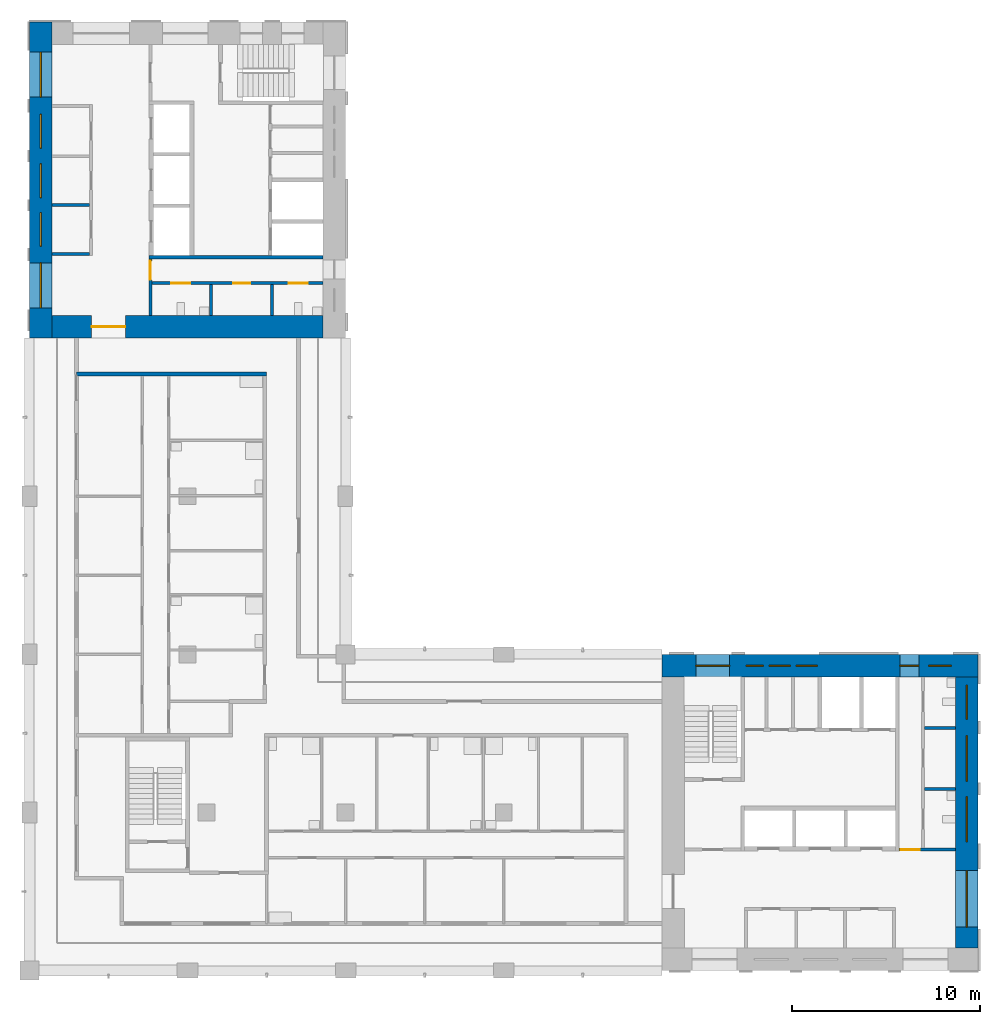
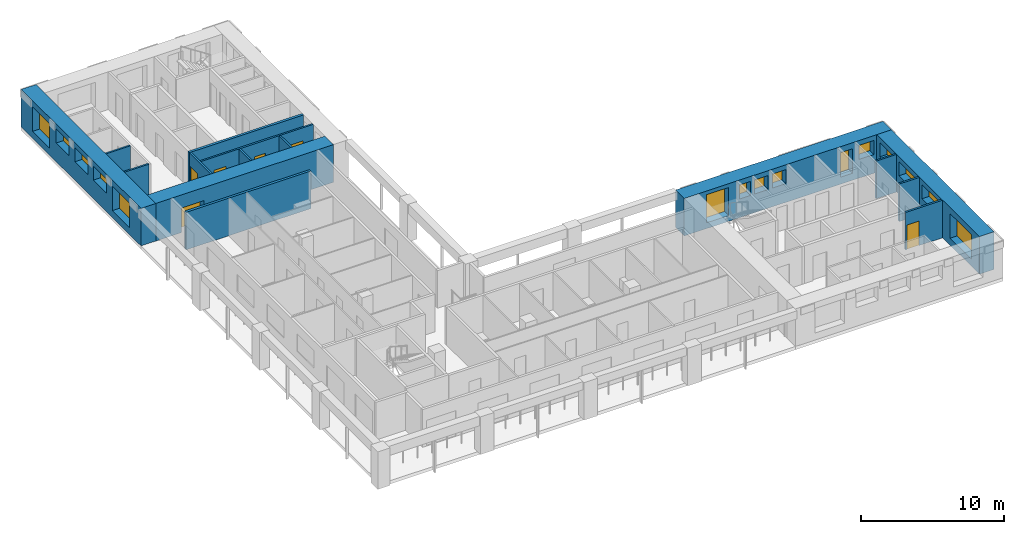
# One storey, part 5 of 10: 15 walls, 15 windows, 6 doors, 21 openings.
"""IFC4 building model written with IfcOpenShell, lengths in metres."""

from ifc_helpers import new_model, si_unit, direction, frame, frame_2d, origin, place, context, subcontext, project, spatial, rectangle, extrude, material, layer, layer_set, type_object, element, fill, save


model = new_model("IFC4")

# Units and contexts
model_context = context("Model", 3, precision=1e-05, world=origin(), true_north=direction((0.0, 1.0)))
body_context = subcontext(model_context, "Body", "Model", "MODEL_VIEW")
ifc_project = project(units=[si_unit("LENGTHUNIT", "METRE"), si_unit("AREAUNIT", "SQUARE_METRE"), si_unit("VOLUMEUNIT", "CUBIC_METRE"), si_unit("PLANEANGLEUNIT", "RADIAN"), si_unit("MASSUNIT", "GRAM", prefix="KILO")], contexts=[model_context])

# Site, building, storey
site_placement = place(None, origin())
site = spatial("IfcSite", under=ifc_project, at=site_placement, CompositionType="ELEMENT")
building_placement = place(site_placement, origin())
building = spatial("IfcBuilding", under=site, at=building_placement, Name="Vermilion Gate Residences", CompositionType="ELEMENT")
storey_placement = place(building_placement, frame((0.0, 0.0, 266.699951171875)))
storey = spatial("IfcBuildingStorey", under=building, at=storey_placement, Name="L70", CompositionType="ELEMENT", Elevation=266.699951171875)

# Wall, opening, door
ifc_material_1 = material(Name="Masonry blockwork", Category="masonry")
ifc_layer_1 = layer(ifc_material_1, 0.14990234375)
ifc_layer_set_1 = layer_set([ifc_layer_1], Name="BLOCKWORK PARTITION 150 EI 120")
wall_type_1 = type_object("IfcWallType", Name="BLOCKWORK PARTITION 150 EI 120", PredefinedType="PARTITIONING", material=ifc_layer_set_1)
wall_1_placement = place(storey_placement, frame((54.60009765625, 14.824951171875, 0.0), z_axis=(0.0, 0.0, 1.0), x_axis=(1.0, 0.0, 0.0)))
wall_1 = element("IfcWall", 1, at=wall_1_placement, inside=storey, type_object=wall_type_1, Name="Core room partition A70-ES-S", PredefinedType="PARTITIONING", context=body_context, shape_type="SweptSolid", body=[
    extrude(rectangle(XDim=3.0, YDim=0.14990234375, at=frame_2d((1.5, 0.0))), origin(), (0.0, 0.0, 1.0), 3.219970703125),
])
opening_1_placement = place(wall_1_placement, frame((0.10009765625, 0.0, 0.0)))
opening_1 = element("IfcOpeningElement", 2, at=opening_1_placement, cuts=wall_1, Name="Opening DK70015", PredefinedType="OPENING", context=body_context, shape_type="SweptSolid", body=[
    extrude(rectangle(XDim=1.0, YDim=2.10009765625, at=frame_2d((0.5, 1.050048828125))), frame((0.0, 0.0849609375, 0.0), z_axis=(0.0, -1.0, 0.0), x_axis=(1.0, 0.0, 0.0)), (0.0, 0.0, 1.0), 0.169921875),
])
ifc_material_2 = material(Name="Steel", Category="steel")
door_type_1 = type_object("IfcDoorType", Name="FIRE DOOR FD60 1000 X 2100", OperationType="SINGLE_SWING_LEFT", PredefinedType="DOOR", material=ifc_material_2)
door_1_placement = place(opening_1_placement, frame((1.0, 0.0, 0.0), z_axis=(0.0, 0.0, 1.0), x_axis=(-1.0, 0.0, 0.0)))
door_1 = element("IfcDoor", 3, at=door_1_placement, inside=storey, type_object=door_type_1, Name="Service corridor door A70", OperationType="SINGLE_SWING_LEFT", OverallHeight=2.10009765625, OverallWidth=1.0, PredefinedType="DOOR", context=body_context, shape_type="SweptSolid", body=[
    extrude(rectangle(XDim=1.0, YDim=2.10009765625, at=frame_2d((0.5, 1.050048828125))), frame((0.0, 0.02490234375, 0.0), z_axis=(0.0, -1.0, 0.0), x_axis=(1.0, 0.0, 0.0)), (0.0, 0.0, 1.0), 0.050048828125),
])
fill(opening_1, door_1)

# Walls
for number, where, z_axis, x_axis, name in (
    (4, (55.949951171875, 18.054931640625, 0.0), (0.0, 0.0, 1.0), (1.0, 0.0, 0.0), "Core room partition A70-ES-P0"),
    (5, (55.949951171875, 21.284912109375, 0.0), (0.0, 0.0, 1.0), (1.0, 0.0, 0.0), "Core room partition A70-ES-P1"),
):
    element("IfcWall", number, at=place(storey_placement, frame(where, z_axis=z_axis, x_axis=x_axis)), inside=storey, type_object=wall_type_1, Name=name, PredefinedType="PARTITIONING", context=body_context, shape_type="SweptSolid", body=[
        extrude(rectangle(XDim=1.650146484375, YDim=0.14990234375, at=frame_2d((0.8251953125, 0.0))), origin(), (0.0, 0.0, 1.0), 3.219970703125),
    ])
for number, where, z_axis, x_axis, name in (
    (6, (9.60009765625, 46.47509765625, 0.0), (0.0, 0.0, 1.0), (1.0, 0.0, 0.0), "Core room partition B70-RW-E"),
    (7, (9.60009765625, 49.06689453125, 0.0), (0.0, 0.0, 1.0), (1.0, 0.0, 0.0), "Core room partition B70-SR-P1"),
):
    element("IfcWall", number, at=place(storey_placement, frame(where, z_axis=z_axis, x_axis=x_axis)), inside=storey, type_object=wall_type_1, Name=name, PredefinedType="PARTITIONING", context=body_context, shape_type="SweptSolid", body=[
        extrude(rectangle(XDim=2.0, YDim=0.14990234375, at=frame_2d((1.0, 0.0))), origin(), (0.0, 0.0, 1.0), 3.219970703125),
    ])

# Wall, opening, door
wall_2_placement = place(storey_placement, frame((14.824951171875, 46.199951171875, 0.0), z_axis=(0.0, 0.0, 1.0), x_axis=(0.0, -1.0, 0.0)))
wall_2 = element("IfcWall", 8, at=wall_2_placement, inside=storey, type_object=wall_type_1, Name="Core room partition B70-ES-S", PredefinedType="PARTITIONING", context=body_context, shape_type="SweptSolid", body=[
    extrude(rectangle(XDim=3.0, YDim=0.14990234375, at=frame_2d((1.5, 0.0))), origin(), (0.0, 0.0, 1.0), 3.219970703125),
])
opening_2_placement = place(wall_2_placement, frame((0.10009765625, 0.0, 0.0)))
opening_2 = element("IfcOpeningElement", 9, at=opening_2_placement, cuts=wall_2, Name="Opening DK70115", PredefinedType="OPENING", context=body_context, shape_type="SweptSolid", body=[
    extrude(rectangle(XDim=1.0, YDim=2.10009765625, at=frame_2d((0.5, 1.050048828125))), frame((0.0, 0.0849609375, 0.0), z_axis=(0.0, -1.0, 0.0), x_axis=(1.0, 0.0, 0.0)), (0.0, 0.0, 1.0), 0.169921875),
])
door_2_placement = place(opening_2_placement, frame((1.0, 0.0, 0.0), z_axis=(0.0, 0.0, 1.0), x_axis=(-1.0, 0.0, 0.0)))
door_2 = element("IfcDoor", 10, at=door_2_placement, inside=storey, type_object=door_type_1, Name="Service corridor door B70", OperationType="SINGLE_SWING_LEFT", OverallHeight=2.10009765625, OverallWidth=1.0, PredefinedType="DOOR", context=body_context, shape_type="SweptSolid", body=[
    extrude(rectangle(XDim=1.0, YDim=2.10009765625, at=frame_2d((0.5, 1.050048828125))), frame((0.0, 0.02490234375, 0.0), z_axis=(0.0, -1.0, 0.0), x_axis=(1.0, 0.0, 0.0)), (0.0, 0.0, 1.0), 0.050048828125),
])
fill(opening_2, door_2)

# Walls
for number, where, z_axis, x_axis, name in (
    (11, (18.054931640625, 44.85009765625, 0.0), (0.0, 0.0, 1.0), (0.0, -1.0, 0.0), "Core room partition B70-ES-P0"),
    (12, (21.284912109375, 44.85009765625, 0.0), (0.0, 0.0, 1.0), (0.0, -1.0, 0.0), "Core room partition B70-ES-P1"),
):
    element("IfcWall", number, at=place(storey_placement, frame(where, z_axis=z_axis, x_axis=x_axis)), inside=storey, type_object=wall_type_1, Name=name, PredefinedType="PARTITIONING", context=body_context, shape_type="SweptSolid", body=[
        extrude(rectangle(XDim=1.650146484375, YDim=0.14990234375, at=frame_2d((0.8251953125, 0.0))), origin(), (0.0, 0.0, 1.0), 3.219970703125),
    ])

# Wall, openings, doors
wall_3_placement = place(storey_placement, frame((14.89990234375, 44.925048828125, 0.0), z_axis=(0.0, 0.0, 1.0), x_axis=(1.0, 0.0, 0.0)))
wall_3 = element("IfcWall", 13, at=wall_3_placement, inside=storey, type_object=wall_type_1, Name="Core room partition B70-ES-W", PredefinedType="PARTITIONING", context=body_context, shape_type="SweptSolid", body=[
    extrude(rectangle(XDim=9.10009765625, YDim=0.14990234375, at=frame_2d((4.550048828125, 0.0))), origin(), (0.0, 0.0, 1.0), 3.219970703125),
])
opening_3_placement = place(wall_3_placement, frame((1.0400390625, 0.0, 0.0)))
opening_3 = element("IfcOpeningElement", 14, at=opening_3_placement, cuts=wall_3, Name="Opening DK70116", PredefinedType="OPENING", context=body_context, shape_type="SweptSolid", body=[
    extrude(rectangle(XDim=1.0, YDim=2.10009765625, at=frame_2d((0.5, 1.050048828125))), frame((0.0, 0.0849609375, 0.0), z_axis=(0.0, -1.0, 0.0), x_axis=(1.0, 0.0, 0.0)), (0.0, 0.0, 1.0), 0.169921875),
])
opening_4_placement = place(wall_3_placement, frame((4.320068359375, 0.0, 0.0)))
opening_4 = element("IfcOpeningElement", 15, at=opening_4_placement, cuts=wall_3, Name="Opening DK70117", PredefinedType="OPENING", context=body_context, shape_type="SweptSolid", body=[
    extrude(rectangle(XDim=0.89990234375, YDim=2.10009765625, at=frame_2d((0.449951171875, 1.050048828125))), frame((0.0, 0.0849609375, 0.0), z_axis=(0.0, -1.0, 0.0), x_axis=(1.0, 0.0, 0.0)), (0.0, 0.0, 1.0), 0.169921875),
])
opening_5_placement = place(wall_3_placement, frame((7.280029296875, 0.0, 0.0)))
opening_5 = element("IfcOpeningElement", 16, at=opening_5_placement, cuts=wall_3, Name="Opening DK70118", PredefinedType="OPENING", context=body_context, shape_type="SweptSolid", body=[
    extrude(rectangle(XDim=1.0, YDim=2.10009765625, at=frame_2d((0.5, 1.050048828125))), frame((0.0, 0.0849609375, 0.0), z_axis=(0.0, -1.0, 0.0), x_axis=(1.0, 0.0, 0.0)), (0.0, 0.0, 1.0), 0.169921875),
])
door_3_placement = place(opening_3_placement, frame((1.0, 0.0, 0.0), z_axis=(0.0, 0.0, 1.0), x_axis=(-1.0, 0.0, 0.0)))
door_3 = element("IfcDoor", 17, at=door_3_placement, inside=storey, type_object=door_type_1, Name="Accessible WC B70", OperationType="SINGLE_SWING_LEFT", OverallHeight=2.10009765625, OverallWidth=1.0, PredefinedType="DOOR", context=body_context, shape_type="SweptSolid", body=[
    extrude(rectangle(XDim=1.0, YDim=2.10009765625, at=frame_2d((0.5, 1.050048828125))), frame((0.0, 0.02490234375, 0.0), z_axis=(0.0, -1.0, 0.0), x_axis=(1.0, 0.0, 0.0)), (0.0, 0.0, 1.0), 0.050048828125),
])
fill(opening_3, door_3)
door_4_placement = place(opening_5_placement, frame((1.0, 0.0, 0.0), z_axis=(0.0, 0.0, 1.0), x_axis=(-1.0, 0.0, 0.0)))
door_4 = element("IfcDoor", 18, at=door_4_placement, inside=storey, type_object=door_type_1, Name="Accessible WC B70", OperationType="SINGLE_SWING_RIGHT", OverallHeight=2.10009765625, OverallWidth=1.0, PredefinedType="DOOR", context=body_context, shape_type="SweptSolid", body=[
    extrude(rectangle(XDim=1.0, YDim=2.10009765625, at=frame_2d((0.5, 1.050048828125))), frame((0.0, 0.02490234375, 0.0), z_axis=(0.0, -1.0, 0.0), x_axis=(1.0, 0.0, 0.0)), (0.0, 0.0, 1.0), 0.050048828125),
])
fill(opening_5, door_4)
ifc_material_3 = material(Name="Steel", Category="steel")
door_type_2 = type_object("IfcDoorType", Name="SERVICE ROOM DOOR FD60 900 X 2100", OperationType="SINGLE_SWING_LEFT", PredefinedType="DOOR", material=ifc_material_3)
door_5_placement = place(opening_4_placement, frame((0.89990234375, 0.0, 0.0), z_axis=(0.0, 0.0, 1.0), x_axis=(-1.0, 0.0, 0.0)))
door_5 = element("IfcDoor", 19, at=door_5_placement, inside=storey, type_object=door_type_2, Name="Communications room B70", OperationType="SINGLE_SWING_RIGHT", OverallHeight=2.10009765625, OverallWidth=0.89990234375, PredefinedType="DOOR", context=body_context, shape_type="SweptSolid", body=[
    extrude(rectangle(XDim=0.89990234375, YDim=2.10009765625, at=frame_2d((0.449951171875, 1.050048828125))), frame((0.0, 0.02490234375, 0.0), z_axis=(0.0, -1.0, 0.0), x_axis=(1.0, 0.0, 0.0)), (0.0, 0.0, 1.0), 0.050048828125),
])
fill(opening_4, door_5)

# Walls
ifc_material_4 = material(Name="Fire-rated plasterboard on steel studs", Category="steel")
ifc_layer_2 = layer(ifc_material_4, 0.199951171875)
ifc_layer_set_2 = layer_set([ifc_layer_2], Name="PARTY WALL 200 EI 120")
wall_type_2 = type_object("IfcWallType", Name="PARTY WALL 200 EI 120", PredefinedType="PARTITIONING", material=ifc_layer_set_2)
wall_4_placement = place(storey_placement, frame((10.89990234375, 40.10009765625, 0.0), z_axis=(0.0, 0.0, 1.0), x_axis=(1.0, 0.0, 0.0)))
element("IfcWall", 20, at=wall_4_placement, inside=storey, type_object=wall_type_2, Name="Party and corridor wall", PredefinedType="PARTITIONING", context=body_context, shape_type="SweptSolid", body=[
    extrude(rectangle(XDim=10.10009765625, YDim=0.199951171875, at=frame_2d((5.050048828125, 0.0))), origin(), (0.0, 0.0, 1.0), 3.219970703125),
])
ifc_material_5 = material(Name="Concrete C60", Category="concrete")
ifc_layer_3 = layer(ifc_material_5, 0.199951171875)
ifc_layer_set_3 = layer_set([ifc_layer_3], Name="RC CORE INTERNAL WALL 200 C60")
wall_type_3 = type_object("IfcWallType", Name="RC CORE INTERNAL WALL 200 C60", PredefinedType="SHEAR", material=ifc_layer_set_3)
wall_5_placement = place(storey_placement, frame((14.75, 46.300048828125, 0.0), z_axis=(0.0, 0.0, 1.0), x_axis=(1.0, 0.0, 0.0)))
element("IfcWall", 21, at=wall_5_placement, inside=storey, type_object=wall_type_3, Name="Core internal wall B70-EDIV", PredefinedType="SHEAR", context=body_context, shape_type="SweptSolid", body=[
    extrude(rectangle(XDim=9.25, YDim=0.199951171875, at=frame_2d((4.625, 0.0))), origin(), (0.0, 0.0, 1.0), 3.219970703125),
])

# Wall, opening, door
ifc_material_6 = material(Name="Concrete C50", Category="concrete")
ifc_layer_4 = layer(ifc_material_6, 1.199951171875)
ifc_layer_set_4 = layer_set([ifc_layer_4], Name="RC CORE WALL 1200 C50")
wall_type_4 = type_object("IfcWallType", Name="RC CORE WALL 1200 C50", PredefinedType="SHEAR", material=ifc_layer_set_4)
wall_6_placement = place(storey_placement, frame((9.60009765625, 42.60009765625, 0.0), z_axis=(0.0, 0.0, 1.0), x_axis=(1.0, 0.0, 0.0)))
wall_6 = element("IfcWall", 22, at=wall_6_placement, inside=storey, type_object=wall_type_4, Name="Core wall B70-OUT-BK", PredefinedType="SHEAR", context=body_context, shape_type="SweptSolid", body=[
    extrude(rectangle(XDim=14.39990234375, YDim=1.199951171875, at=frame_2d((7.199951171875, 0.0))), origin(), (0.0, 0.0, 1.0), 3.219970703125),
])
opening_6_placement = place(wall_6_placement, frame((2.10009765625, 0.0, 0.0)))
opening_6 = element("IfcOpeningElement", 23, at=opening_6_placement, cuts=wall_6, Name="Opening DK70101", PredefinedType="OPENING", context=body_context, shape_type="SweptSolid", body=[
    extrude(rectangle(XDim=1.800048828125, YDim=2.10009765625, at=frame_2d((0.89990234375, 1.050048828125))), frame((0.0, 0.60986328125, 0.0), z_axis=(0.0, -1.0, 0.0), x_axis=(1.0, 0.0, 0.0)), (0.0, 0.0, 1.0), 1.219970703125),
])
ifc_material_7 = material(Name="Steel", Category="steel")
door_type_3 = type_object("IfcDoorType", Name="CORE LOBBY DOOR FD60 1800 X 2100", OperationType="DOUBLE_DOOR_SINGLE_SWING", PredefinedType="DOOR", material=ifc_material_7)
door_6_placement = place(opening_6_placement, frame((1.800048828125, 0.0, 0.0), z_axis=(0.0, 0.0, 1.0), x_axis=(-1.0, 0.0, 0.0)))
door_6 = element("IfcDoor", 24, at=door_6_placement, inside=storey, type_object=door_type_3, Name="Core lobby door B70", OperationType="DOUBLE_DOOR_SINGLE_SWING", OverallHeight=2.10009765625, OverallWidth=1.800048828125, PredefinedType="DOOR", context=body_context, shape_type="SweptSolid", body=[
    extrude(rectangle(XDim=1.800048828125, YDim=2.10009765625, at=frame_2d((0.89990234375, 1.050048828125))), frame((0.0, 0.02490234375, 0.0), z_axis=(0.0, -1.0, 0.0), x_axis=(1.0, 0.0, 0.0)), (0.0, 0.0, 1.0), 0.050048828125),
])
fill(opening_6, door_6)

# Wall, openings, windows
ifc_material_8 = material(Name="Concrete C50 red-oxide pigmented", Category="concrete")
ifc_layer_5 = layer(ifc_material_8, 1.199951171875)
ifc_layer_set_5 = layer_set([ifc_layer_5], Name="RC CORE WALL 1200 C50 RED OXIDE")
wall_type_5 = type_object("IfcWallType", Name="RC CORE WALL 1200 C50 RED OXIDE", PredefinedType="SHEAR", material=ifc_layer_set_5)
wall_7_placement = place(storey_placement, frame((42.0, 24.60009765625, 0.0), z_axis=(0.0, 0.0, 1.0), x_axis=(1.0, 0.0, 0.0)))
wall_7 = element("IfcWall", 25, at=wall_7_placement, inside=storey, type_object=wall_type_5, Name="Core wall A70-OUT-B1", PredefinedType="SHEAR", context=body_context, shape_type="SweptSolid", body=[
    extrude(rectangle(XDim=16.800048828125, YDim=1.199951171875, at=frame_2d((8.39990234375, 0.0))), origin(), (0.0, 0.0, 1.0), 3.219970703125),
])
opening_7_placement = place(wall_7_placement, frame((1.800048828125, 0.0, 0.5)))
opening_7 = element("IfcOpeningElement", 26, at=opening_7_placement, cuts=wall_7, Name="Opening WKA7006", PredefinedType="OPENING", context=body_context, shape_type="SweptSolid", body=[
    extrude(rectangle(XDim=1.800048828125, YDim=2.39990234375, at=frame_2d((0.89990234375, 1.199951171875))), frame((0.0, 0.60986328125, 0.0), z_axis=(0.0, -1.0, 0.0), x_axis=(1.0, 0.0, 0.0)), (0.0, 0.0, 1.0), 1.219970703125),
])
opening_8_placement = place(wall_7_placement, frame((4.489990234375, 0.0, 1.60009765625)))
opening_8 = element("IfcOpeningElement", 27, at=opening_8_placement, cuts=wall_7, Name="Opening WKA7007", PredefinedType="OPENING", context=body_context, shape_type="SweptSolid", body=[
    extrude(rectangle(XDim=0.89990234375, YDim=1.199951171875, at=frame_2d((0.449951171875, 0.60009765625))), frame((0.0, 0.60986328125, 0.0), z_axis=(0.0, -1.0, 0.0), x_axis=(1.0, 0.0, 0.0)), (0.0, 0.0, 1.0), 1.219970703125),
])
opening_9_placement = place(wall_7_placement, frame((5.7099609375, 0.0, 1.60009765625)))
opening_9 = element("IfcOpeningElement", 28, at=opening_9_placement, cuts=wall_7, Name="Opening WKA7008", PredefinedType="OPENING", context=body_context, shape_type="SweptSolid", body=[
    extrude(rectangle(XDim=1.10009765625, YDim=1.199951171875, at=frame_2d((0.550048828125, 0.60009765625))), frame((0.0, 0.60986328125, 0.0), z_axis=(0.0, -1.0, 0.0), x_axis=(1.0, 0.0, 0.0)), (0.0, 0.0, 1.0), 1.219970703125),
])
opening_10_placement = place(wall_7_placement, frame((7.14990234375, 0.0, 1.60009765625)))
opening_10 = element("IfcOpeningElement", 29, at=opening_10_placement, cuts=wall_7, Name="Opening WKA7009", PredefinedType="OPENING", context=body_context, shape_type="SweptSolid", body=[
    extrude(rectangle(XDim=1.10009765625, YDim=1.199951171875, at=frame_2d((0.550048828125, 0.60009765625))), frame((0.0, 0.60986328125, 0.0), z_axis=(0.0, -1.0, 0.0), x_axis=(1.0, 0.0, 0.0)), (0.0, 0.0, 1.0), 1.219970703125),
])
opening_11_placement = place(wall_7_placement, frame((12.64990234375, 0.0, 0.60009765625)))
opening_11 = element("IfcOpeningElement", 30, at=opening_11_placement, cuts=wall_7, Name="Opening WKA7010", PredefinedType="OPENING", context=body_context, shape_type="SweptSolid", body=[
    extrude(rectangle(XDim=1.0, YDim=2.10009765625, at=frame_2d((0.5, 1.050048828125))), frame((0.0, 0.60986328125, 0.0), z_axis=(0.0, -1.0, 0.0), x_axis=(1.0, 0.0, 0.0)), (0.0, 0.0, 1.0), 1.219970703125),
])
opening_12_placement = place(wall_7_placement, frame((14.175048828125, 0.0, 1.60009765625)))
opening_12 = element("IfcOpeningElement", 31, at=opening_12_placement, cuts=wall_7, Name="Opening WKA7011", PredefinedType="OPENING", context=body_context, shape_type="SweptSolid", body=[
    extrude(rectangle(XDim=1.199951171875, YDim=1.199951171875, at=frame_2d((0.60009765625, 0.60009765625))), frame((0.0, 0.60986328125, 0.0), z_axis=(0.0, -1.0, 0.0), x_axis=(1.0, 0.0, 0.0)), (0.0, 0.0, 1.0), 1.219970703125),
])
ifc_material_9 = material(Name="Aluminium and clear glass", Category="aluminium")
window_type_1 = type_object("IfcWindowType", Name="CORE CORRIDOR WINDOW 1000 X 2100", PartitioningType="SINGLE_PANEL", PredefinedType="WINDOW", material=ifc_material_9)
window_1_placement = place(opening_11_placement, origin())
window_1 = element("IfcWindow", 32, at=window_1_placement, inside=storey, type_object=window_type_1, Name="Core corridor window", OverallHeight=2.10009765625, OverallWidth=1.0, PartitioningType="SINGLE_PANEL", PredefinedType="WINDOW", context=body_context, shape_type="SweptSolid", body=[
    extrude(rectangle(XDim=1.0, YDim=2.10009765625, at=frame_2d((0.5, 1.050048828125))), frame((0.0, 0.030029296875, 0.0), z_axis=(0.0, -1.0, 0.0), x_axis=(1.0, 0.0, 0.0)), (0.0, 0.0, 1.0), 0.06005859375),
])
fill(opening_11, window_1)
ifc_material_10 = material(Name="Aluminium frame with louvre blades", Category="aluminium")
window_type_2 = type_object("IfcWindowType", Name="CORE LOUVRE 1100 X 1200", PartitioningType="SINGLE_PANEL", PredefinedType="WINDOW", material=ifc_material_10)
window_2_placement = place(opening_9_placement, origin())
window_2 = element("IfcWindow", 33, at=window_2_placement, inside=storey, type_object=window_type_2, Name="Core louvre", OverallHeight=1.199951171875, OverallWidth=1.10009765625, PartitioningType="SINGLE_PANEL", PredefinedType="WINDOW", context=body_context, shape_type="SweptSolid", body=[
    extrude(rectangle(XDim=1.10009765625, YDim=1.199951171875, at=frame_2d((0.550048828125, 0.60009765625))), frame((0.0, 0.030029296875, 0.0), z_axis=(0.0, -1.0, 0.0), x_axis=(1.0, 0.0, 0.0)), (0.0, 0.0, 1.0), 0.06005859375),
])
fill(opening_9, window_2)
window_3_placement = place(opening_10_placement, origin())
window_3 = element("IfcWindow", 34, at=window_3_placement, inside=storey, type_object=window_type_2, Name="Core louvre", OverallHeight=1.199951171875, OverallWidth=1.10009765625, PartitioningType="SINGLE_PANEL", PredefinedType="WINDOW", context=body_context, shape_type="SweptSolid", body=[
    extrude(rectangle(XDim=1.10009765625, YDim=1.199951171875, at=frame_2d((0.550048828125, 0.60009765625))), frame((0.0, 0.030029296875, 0.0), z_axis=(0.0, -1.0, 0.0), x_axis=(1.0, 0.0, 0.0)), (0.0, 0.0, 1.0), 0.06005859375),
])
fill(opening_10, window_3)
ifc_material_11 = material(Name="Aluminium frame with louvre blades", Category="aluminium")
window_type_3 = type_object("IfcWindowType", Name="CORE LOUVRE 1200 X 1200", PartitioningType="SINGLE_PANEL", PredefinedType="WINDOW", material=ifc_material_11)
window_4_placement = place(opening_12_placement, origin())
window_4 = element("IfcWindow", 35, at=window_4_placement, inside=storey, type_object=window_type_3, Name="Core louvre", OverallHeight=1.199951171875, OverallWidth=1.199951171875, PartitioningType="SINGLE_PANEL", PredefinedType="WINDOW", context=body_context, shape_type="SweptSolid", body=[
    extrude(rectangle(XDim=1.199951171875, YDim=1.199951171875, at=frame_2d((0.60009765625, 0.60009765625))), frame((0.0, 0.030029296875, 0.0), z_axis=(0.0, -1.0, 0.0), x_axis=(1.0, 0.0, 0.0)), (0.0, 0.0, 1.0), 0.06005859375),
])
fill(opening_12, window_4)
ifc_material_12 = material(Name="Aluminium frame with louvre blades", Category="aluminium")
window_type_4 = type_object("IfcWindowType", Name="CORE LOUVRE 900 X 1200", PartitioningType="SINGLE_PANEL", PredefinedType="WINDOW", material=ifc_material_12)
window_5_placement = place(opening_8_placement, origin())
window_5 = element("IfcWindow", 36, at=window_5_placement, inside=storey, type_object=window_type_4, Name="Core louvre", OverallHeight=1.199951171875, OverallWidth=0.89990234375, PartitioningType="SINGLE_PANEL", PredefinedType="WINDOW", context=body_context, shape_type="SweptSolid", body=[
    extrude(rectangle(XDim=0.89990234375, YDim=1.199951171875, at=frame_2d((0.449951171875, 0.60009765625))), frame((0.0, 0.030029296875, 0.0), z_axis=(0.0, -1.0, 0.0), x_axis=(1.0, 0.0, 0.0)), (0.0, 0.0, 1.0), 0.06005859375),
])
fill(opening_8, window_5)
ifc_material_13 = material(Name="Aluminium and clear glass", Category="aluminium")
window_type_5 = type_object("IfcWindowType", Name="CORE STAIR WINDOW 1800 X 2400", PartitioningType="SINGLE_PANEL", PredefinedType="WINDOW", material=ifc_material_13)
window_6_placement = place(opening_7_placement, origin())
window_6 = element("IfcWindow", 37, at=window_6_placement, inside=storey, type_object=window_type_5, Name="Core stair window", OverallHeight=2.39990234375, OverallWidth=1.800048828125, PartitioningType="SINGLE_PANEL", PredefinedType="WINDOW", context=body_context, shape_type="SweptSolid", body=[
    extrude(rectangle(XDim=1.800048828125, YDim=2.39990234375, at=frame_2d((0.89990234375, 1.199951171875))), frame((0.0, 0.030029296875, 0.0), z_axis=(0.0, -1.0, 0.0), x_axis=(1.0, 0.0, 0.0)), (0.0, 0.0, 1.0), 0.06005859375),
])
fill(opening_7, window_6)

wall_8_placement = place(storey_placement, frame((58.199951171875, 9.60009765625, 0.0), z_axis=(0.0, 0.0, 1.0), x_axis=(0.0, 1.0, 0.0)))
wall_8 = element("IfcWall", 38, at=wall_8_placement, inside=storey, type_object=wall_type_5, Name="Core wall A70-OUT-BK", PredefinedType="SHEAR", context=body_context, shape_type="SweptSolid", body=[
    extrude(rectangle(XDim=14.39990234375, YDim=1.199951171875, at=frame_2d((7.199951171875, 0.0))), origin(), (0.0, 0.0, 1.0), 3.219970703125),
])
opening_13_placement = place(wall_8_placement, frame((1.10498046875, 0.0, 0.60009765625)))
opening_13 = element("IfcOpeningElement", 39, at=opening_13_placement, cuts=wall_8, Name="Opening WKA7012", PredefinedType="OPENING", context=body_context, shape_type="SweptSolid", body=[
    extrude(rectangle(XDim=3.0, YDim=2.10009765625, at=frame_2d((1.5, 1.050048828125))), frame((0.0, 0.60986328125, 0.0), z_axis=(0.0, -1.0, 0.0), x_axis=(1.0, 0.0, 0.0)), (0.0, 0.0, 1.0), 1.219970703125),
])
opening_14_placement = place(wall_8_placement, frame((5.639892578125, 0.0, 1.60009765625)))
opening_14 = element("IfcOpeningElement", 40, at=opening_14_placement, cuts=wall_8, Name="Opening WKA7013", PredefinedType="OPENING", context=body_context, shape_type="SweptSolid", body=[
    extrude(rectangle(XDim=2.39990234375, YDim=1.199951171875, at=frame_2d((1.199951171875, 0.60009765625))), frame((0.0, 0.60986328125, 0.0), z_axis=(0.0, -1.0, 0.0), x_axis=(1.0, 0.0, 0.0)), (0.0, 0.0, 1.0), 1.219970703125),
])
opening_15_placement = place(wall_8_placement, frame((8.8701171875, 0.0, 1.60009765625)))
opening_15 = element("IfcOpeningElement", 41, at=opening_15_placement, cuts=wall_8, Name="Opening WKA7014", PredefinedType="OPENING", context=body_context, shape_type="SweptSolid", body=[
    extrude(rectangle(XDim=2.39990234375, YDim=1.199951171875, at=frame_2d((1.199951171875, 0.60009765625))), frame((0.0, 0.60986328125, 0.0), z_axis=(0.0, -1.0, 0.0), x_axis=(1.0, 0.0, 0.0)), (0.0, 0.0, 1.0), 1.219970703125),
])
opening_16_placement = place(wall_8_placement, frame((12.14990234375, 0.0, 1.60009765625)))
opening_16 = element("IfcOpeningElement", 42, at=opening_16_placement, cuts=wall_8, Name="Opening WKA7015", PredefinedType="OPENING", context=body_context, shape_type="SweptSolid", body=[
    extrude(rectangle(XDim=1.800048828125, YDim=1.199951171875, at=frame_2d((0.89990234375, 0.60009765625))), frame((0.0, 0.60986328125, 0.0), z_axis=(0.0, -1.0, 0.0), x_axis=(1.0, 0.0, 0.0)), (0.0, 0.0, 1.0), 1.219970703125),
])
ifc_material_14 = material(Name="Aluminium and clear glass", Category="aluminium")
window_type_6 = type_object("IfcWindowType", Name="CORE LOBBY WINDOW 3000 X 2100", PartitioningType="SINGLE_PANEL", PredefinedType="WINDOW", material=ifc_material_14)
window_7_placement = place(opening_13_placement, origin())
window_7 = element("IfcWindow", 43, at=window_7_placement, inside=storey, type_object=window_type_6, Name="Core lobby window", OverallHeight=2.10009765625, OverallWidth=3.0, PartitioningType="SINGLE_PANEL", PredefinedType="WINDOW", context=body_context, shape_type="SweptSolid", body=[
    extrude(rectangle(XDim=3.0, YDim=2.10009765625, at=frame_2d((1.5, 1.050048828125))), frame((0.0, 0.030029296875, 0.0), z_axis=(0.0, -1.0, 0.0), x_axis=(1.0, 0.0, 0.0)), (0.0, 0.0, 1.0), 0.06005859375),
])
fill(opening_13, window_7)
ifc_material_15 = material(Name="Aluminium frame with louvre blades", Category="aluminium")
window_type_7 = type_object("IfcWindowType", Name="CORE LOUVRE 1800 X 1200", PartitioningType="SINGLE_PANEL", PredefinedType="WINDOW", material=ifc_material_15)
window_8_placement = place(opening_16_placement, origin())
window_8 = element("IfcWindow", 44, at=window_8_placement, inside=storey, type_object=window_type_7, Name="Core louvre", OverallHeight=1.199951171875, OverallWidth=1.800048828125, PartitioningType="SINGLE_PANEL", PredefinedType="WINDOW", context=body_context, shape_type="SweptSolid", body=[
    extrude(rectangle(XDim=1.800048828125, YDim=1.199951171875, at=frame_2d((0.89990234375, 0.60009765625))), frame((0.0, 0.030029296875, 0.0), z_axis=(0.0, -1.0, 0.0), x_axis=(1.0, 0.0, 0.0)), (0.0, 0.0, 1.0), 0.06005859375),
])
fill(opening_16, window_8)
ifc_material_16 = material(Name="Aluminium frame with louvre blades", Category="aluminium")
window_type_8 = type_object("IfcWindowType", Name="CORE LOUVRE 2400 X 1200", PartitioningType="SINGLE_PANEL", PredefinedType="WINDOW", material=ifc_material_16)
window_9_placement = place(opening_14_placement, origin())
window_9 = element("IfcWindow", 45, at=window_9_placement, inside=storey, type_object=window_type_8, Name="Core louvre", OverallHeight=1.199951171875, OverallWidth=2.39990234375, PartitioningType="SINGLE_PANEL", PredefinedType="WINDOW", context=body_context, shape_type="SweptSolid", body=[
    extrude(rectangle(XDim=2.39990234375, YDim=1.199951171875, at=frame_2d((1.199951171875, 0.60009765625))), frame((0.0, 0.030029296875, 0.0), z_axis=(0.0, -1.0, 0.0), x_axis=(1.0, 0.0, 0.0)), (0.0, 0.0, 1.0), 0.06005859375),
])
fill(opening_14, window_9)
window_10_placement = place(opening_15_placement, origin())
window_10 = element("IfcWindow", 46, at=window_10_placement, inside=storey, type_object=window_type_8, Name="Core louvre", OverallHeight=1.199951171875, OverallWidth=2.39990234375, PartitioningType="SINGLE_PANEL", PredefinedType="WINDOW", context=body_context, shape_type="SweptSolid", body=[
    extrude(rectangle(XDim=2.39990234375, YDim=1.199951171875, at=frame_2d((1.199951171875, 0.60009765625))), frame((0.0, 0.030029296875, 0.0), z_axis=(0.0, -1.0, 0.0), x_axis=(1.0, 0.0, 0.0)), (0.0, 0.0, 1.0), 0.06005859375),
])
fill(opening_15, window_10)

wall_9_placement = place(storey_placement, frame((9.0, 58.800048828125, 0.0), z_axis=(0.0, 0.0, 1.0), x_axis=(0.0, -1.0, 0.0)))
wall_9 = element("IfcWall", 47, at=wall_9_placement, inside=storey, type_object=wall_type_5, Name="Core wall B70-OUT-B0", PredefinedType="SHEAR", context=body_context, shape_type="SweptSolid", body=[
    extrude(rectangle(XDim=16.800048828125, YDim=1.199951171875, at=frame_2d((8.39990234375, 0.0))), origin(), (0.0, 0.0, 1.0), 3.219970703125),
])
opening_17_placement = place(wall_9_placement, frame((1.60009765625, 0.0, 0.60009765625)))
opening_17 = element("IfcOpeningElement", 48, at=opening_17_placement, cuts=wall_9, Name="Opening WKB7001", PredefinedType="OPENING", context=body_context, shape_type="SweptSolid", body=[
    extrude(rectangle(XDim=2.39990234375, YDim=2.10009765625, at=frame_2d((1.199951171875, 1.050048828125))), frame((0.0, 0.60986328125, 0.0), z_axis=(0.0, -1.0, 0.0), x_axis=(1.0, 0.0, 0.0)), (0.0, 0.0, 1.0), 1.219970703125),
])
opening_18_placement = place(wall_9_placement, frame((4.907958984375, 0.0, 1.60009765625)))
opening_18 = element("IfcOpeningElement", 49, at=opening_18_placement, cuts=wall_9, Name="Opening WKB7002", PredefinedType="OPENING", context=body_context, shape_type="SweptSolid", body=[
    extrude(rectangle(XDim=1.800048828125, YDim=1.199951171875, at=frame_2d((0.89990234375, 0.60009765625))), frame((0.0, 0.60986328125, 0.0), z_axis=(0.0, -1.0, 0.0), x_axis=(1.0, 0.0, 0.0)), (0.0, 0.0, 1.0), 1.219970703125),
])
opening_19_placement = place(wall_9_placement, frame((7.537109375, 0.0, 1.60009765625)))
opening_19 = element("IfcOpeningElement", 50, at=opening_19_placement, cuts=wall_9, Name="Opening WKB7003", PredefinedType="OPENING", context=body_context, shape_type="SweptSolid", body=[
    extrude(rectangle(XDim=1.800048828125, YDim=1.199951171875, at=frame_2d((0.89990234375, 0.60009765625))), frame((0.0, 0.60986328125, 0.0), z_axis=(0.0, -1.0, 0.0), x_axis=(1.0, 0.0, 0.0)), (0.0, 0.0, 1.0), 1.219970703125),
])
opening_20_placement = place(wall_9_placement, frame((10.12890625, 0.0, 1.60009765625)))
opening_20 = element("IfcOpeningElement", 51, at=opening_20_placement, cuts=wall_9, Name="Opening WKB7004", PredefinedType="OPENING", context=body_context, shape_type="SweptSolid", body=[
    extrude(rectangle(XDim=1.800048828125, YDim=1.199951171875, at=frame_2d((0.89990234375, 0.60009765625))), frame((0.0, 0.60986328125, 0.0), z_axis=(0.0, -1.0, 0.0), x_axis=(1.0, 0.0, 0.0)), (0.0, 0.0, 1.0), 1.219970703125),
])
opening_21_placement = place(wall_9_placement, frame((12.800048828125, 0.0, 0.60009765625)))
opening_21 = element("IfcOpeningElement", 52, at=opening_21_placement, cuts=wall_9, Name="Opening WKB7005", PredefinedType="OPENING", context=body_context, shape_type="SweptSolid", body=[
    extrude(rectangle(XDim=2.39990234375, YDim=2.10009765625, at=frame_2d((1.199951171875, 1.050048828125))), frame((0.0, 0.60986328125, 0.0), z_axis=(0.0, -1.0, 0.0), x_axis=(1.0, 0.0, 0.0)), (0.0, 0.0, 1.0), 1.219970703125),
])
ifc_material_17 = material(Name="Aluminium and clear glass", Category="aluminium")
window_type_9 = type_object("IfcWindowType", Name="CORE LOBBY WINDOW 2400 X 2100", PartitioningType="SINGLE_PANEL", PredefinedType="WINDOW", material=ifc_material_17)
window_11_placement = place(opening_17_placement, origin())
window_11 = element("IfcWindow", 53, at=window_11_placement, inside=storey, type_object=window_type_9, Name="Core lobby window", OverallHeight=2.10009765625, OverallWidth=2.39990234375, PartitioningType="SINGLE_PANEL", PredefinedType="WINDOW", context=body_context, shape_type="SweptSolid", body=[
    extrude(rectangle(XDim=2.39990234375, YDim=2.10009765625, at=frame_2d((1.199951171875, 1.050048828125))), frame((0.0, 0.030029296875, 0.0), z_axis=(0.0, -1.0, 0.0), x_axis=(1.0, 0.0, 0.0)), (0.0, 0.0, 1.0), 0.06005859375),
])
fill(opening_17, window_11)
window_12_placement = place(opening_21_placement, origin())
window_12 = element("IfcWindow", 54, at=window_12_placement, inside=storey, type_object=window_type_9, Name="Core lobby window", OverallHeight=2.10009765625, OverallWidth=2.39990234375, PartitioningType="SINGLE_PANEL", PredefinedType="WINDOW", context=body_context, shape_type="SweptSolid", body=[
    extrude(rectangle(XDim=2.39990234375, YDim=2.10009765625, at=frame_2d((1.199951171875, 1.050048828125))), frame((0.0, 0.030029296875, 0.0), z_axis=(0.0, -1.0, 0.0), x_axis=(1.0, 0.0, 0.0)), (0.0, 0.0, 1.0), 0.06005859375),
])
fill(opening_21, window_12)
window_13_placement = place(opening_18_placement, origin())
window_13 = element("IfcWindow", 55, at=window_13_placement, inside=storey, type_object=window_type_7, Name="Core louvre", OverallHeight=1.199951171875, OverallWidth=1.800048828125, PartitioningType="SINGLE_PANEL", PredefinedType="WINDOW", context=body_context, shape_type="SweptSolid", body=[
    extrude(rectangle(XDim=1.800048828125, YDim=1.199951171875, at=frame_2d((0.89990234375, 0.60009765625))), frame((0.0, 0.030029296875, 0.0), z_axis=(0.0, -1.0, 0.0), x_axis=(1.0, 0.0, 0.0)), (0.0, 0.0, 1.0), 0.06005859375),
])
fill(opening_18, window_13)
window_14_placement = place(opening_19_placement, origin())
window_14 = element("IfcWindow", 56, at=window_14_placement, inside=storey, type_object=window_type_7, Name="Core louvre", OverallHeight=1.199951171875, OverallWidth=1.800048828125, PartitioningType="SINGLE_PANEL", PredefinedType="WINDOW", context=body_context, shape_type="SweptSolid", body=[
    extrude(rectangle(XDim=1.800048828125, YDim=1.199951171875, at=frame_2d((0.89990234375, 0.60009765625))), frame((0.0, 0.030029296875, 0.0), z_axis=(0.0, -1.0, 0.0), x_axis=(1.0, 0.0, 0.0)), (0.0, 0.0, 1.0), 0.06005859375),
])
fill(opening_19, window_14)
window_15_placement = place(opening_20_placement, origin())
window_15 = element("IfcWindow", 57, at=window_15_placement, inside=storey, type_object=window_type_7, Name="Core louvre", OverallHeight=1.199951171875, OverallWidth=1.800048828125, PartitioningType="SINGLE_PANEL", PredefinedType="WINDOW", context=body_context, shape_type="SweptSolid", body=[
    extrude(rectangle(XDim=1.800048828125, YDim=1.199951171875, at=frame_2d((0.89990234375, 0.60009765625))), frame((0.0, 0.030029296875, 0.0), z_axis=(0.0, -1.0, 0.0), x_axis=(1.0, 0.0, 0.0)), (0.0, 0.0, 1.0), 0.06005859375),
])
fill(opening_20, window_15)

save(model, "model.ifc")
